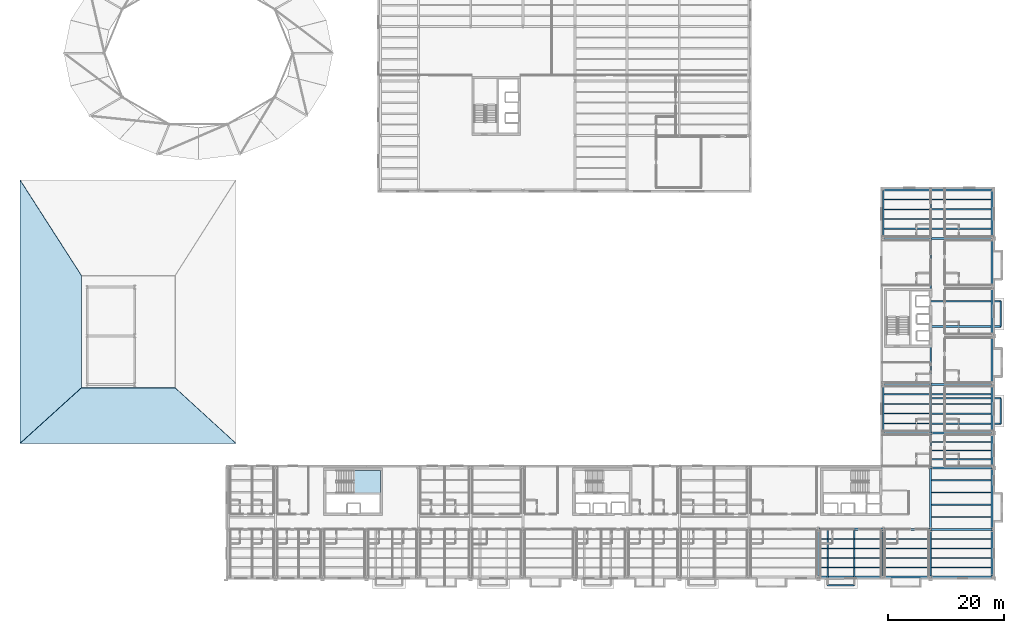
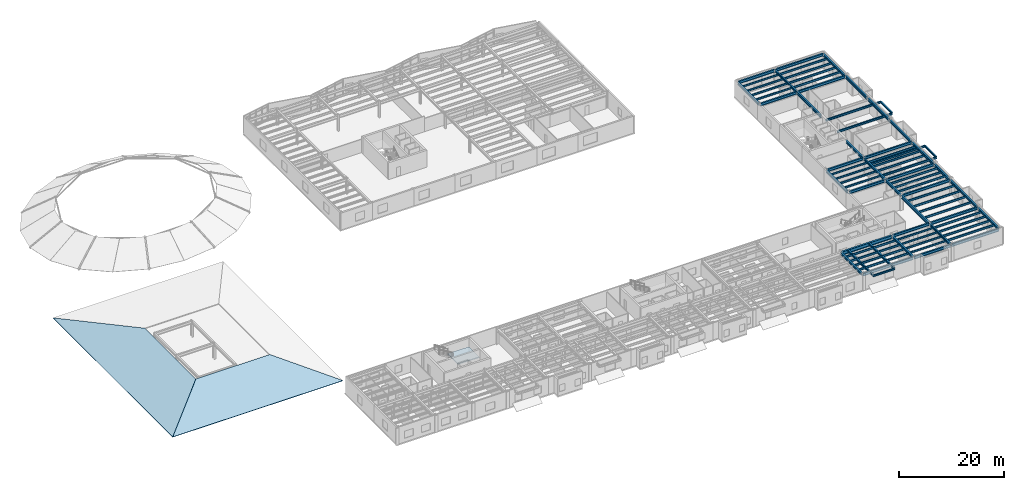
# One storey, part 19 of 46: 77 beams, 3 slabs, 1 element without a shape of its own.
"""IFC4 building model written with IfcOpenShell, lengths in metres."""

from ifc_helpers import new_model, si_unit, direction, frame, origin, origin_2d, place, context, subcontext, project, spatial, polyline, i_section, outline, extrude, material, layer, layer_set, material_profile, profile_set, type_object, element, aggregate, save


model = new_model("IFC4")

# Units and contexts
model_context = context("Model", 3, precision=1e-05, world=origin(), true_north=direction((0.0, 1.0)))
body_context = subcontext(model_context, "Body", "Model", "MODEL_VIEW")
ifc_project = project(units=[si_unit("LENGTHUNIT", "METRE"), si_unit("AREAUNIT", "SQUARE_METRE"), si_unit("VOLUMEUNIT", "CUBIC_METRE"), si_unit("PLANEANGLEUNIT", "RADIAN"), si_unit("MASSUNIT", "GRAM", prefix="KILO")], contexts=[model_context])

# Site, building, storey
site_placement = place(None, origin())
site = spatial("IfcSite", under=ifc_project, at=site_placement, CompositionType="ELEMENT")
building_placement = place(site_placement, origin())
building = spatial("IfcBuilding", under=site, at=building_placement, Name="Sollismere Congress Hotel", CompositionType="ELEMENT")
storey_placement = place(building_placement, frame((0.0, 0.0, 19.5)))
storey = spatial("IfcBuildingStorey", under=building, at=storey_placement, Name="L04", CompositionType="ELEMENT", Elevation=19.5)

# Beams
ifc_material_1 = material(Name="Steel ASTM A992 Grade 50", Category="steel")
ifc_material_profile_1 = material_profile(ifc_material_1, i_section(OverallWidth=0.281982421875, OverallDepth=0.471923828125, WebThickness=0.013671875, FlangeThickness=0.022216796875, at=origin_2d()), Name="W18X97")
ifc_profile_set_1 = profile_set([ifc_material_profile_1], Name="Steel ASTM A992 Grade 50")
beam_type_1 = type_object("IfcBeamType", Name="BM-CK18E", PredefinedType="BEAM", material=ifc_profile_set_1)
for number, where, z_axis, x_axis, name in (
    (1, (137.60009765625, 8.199951171875, 3.3740234375), (0.0, -1.0, 0.0), (1.0, 0.0, 0.0), "Beam BM-L04-3938"),
    (2, (142.199951171875, 8.199951171875, 3.3740234375), (0.0, -1.0, 0.0), (1.0, 0.0, 0.0), "Beam BM-L04-3939"),
):
    element("IfcBeam", number, at=place(storey_placement, frame(where, z_axis=z_axis, x_axis=x_axis)), inside=storey, type_object=beam_type_1, Name=name, PredefinedType="BEAM", context=body_context, shape_type="SweptSolid", body=[
        extrude(i_section(OverallWidth=0.281982421875, OverallDepth=0.471923828125, WebThickness=0.013671875, FlangeThickness=0.022216796875, at=origin_2d()), origin(), (0.0, 0.0, 1.0), 9.68994140625),
    ])
for number, where, z_axis, x_axis, name in (
    (3, (155.39990234375, 26.39990234375, 3.3740234375), (1.0, 0.0, 0.0), (0.0, 1.0, 0.0), "Beam BM-L04-3941"),
    (4, (155.39990234375, 30.800048828125, 3.3740234375), (1.0, 0.0, 0.0), (0.0, 1.0, 0.0), "Beam BM-L04-3942"),
    (5, (155.39990234375, 43.199951171875, 3.3740234375), (1.0, 0.0, 0.0), (0.0, 1.0, 0.0), "Beam BM-L04-3944"),
    (6, (155.39990234375, 47.60009765625, 3.3740234375), (1.0, 0.0, 0.0), (0.0, 1.0, 0.0), "Beam BM-L04-3945"),
):
    element("IfcBeam", number, at=place(storey_placement, frame(where, z_axis=z_axis, x_axis=x_axis)), inside=storey, type_object=beam_type_1, Name=name, PredefinedType="BEAM", context=body_context, shape_type="SweptSolid", body=[
        extrude(i_section(OverallWidth=0.281982421875, OverallDepth=0.471923828125, WebThickness=0.013671875, FlangeThickness=0.022216796875, at=origin_2d()), origin(), (0.0, 0.0, 1.0), 12.090087890625),
    ])
ifc_material_profile_2 = material_profile(ifc_material_1, i_section(OverallWidth=0.31494140625, OverallDepth=0.551025390625, WebThickness=0.01513671875, FlangeThickness=0.0244140625, at=origin_2d()), Name="W21X122")
ifc_profile_set_2 = profile_set([ifc_material_profile_2], Name="Steel ASTM A992 Grade 50")
beam_type_2 = type_object("IfcBeamType", Name="BM-G21H", PredefinedType="BEAM", material=ifc_profile_set_2)
for number, where, z_axis, x_axis, name in (
    (7, (136.0, 0.139892578125, 3.33447265625), (0.0, 1.0, 0.0), (-1.0, 0.0, 0.0), "Beam BM-L04-2761"),
    (8, (147.199951171875, 0.139892578125, 3.33447265625), (0.0, 1.0, 0.0), (-1.0, 0.0, 0.0), "Beam BM-L04-2762"),
):
    element("IfcBeam", number, at=place(storey_placement, frame(where, z_axis=z_axis, x_axis=x_axis)), inside=storey, type_object=beam_type_2, Name=name, PredefinedType="BEAM", context=body_context, shape_type="SweptSolid", body=[
        extrude(i_section(OverallWidth=0.31494140625, OverallDepth=0.551025390625, WebThickness=0.01513671875, FlangeThickness=0.0244140625, at=origin_2d()), origin(), (0.0, 0.0, 1.0), 7.920166015625),
    ])
beam_1_placement = place(storey_placement, frame((147.199951171875, 24.93994140625, 3.33447265625), z_axis=(0.0, 1.0, 0.0), x_axis=(-1.0, 0.0, 0.0)))
element("IfcBeam", 9, at=beam_1_placement, inside=storey, type_object=beam_type_2, Name="Beam BM-L04-2763", PredefinedType="BEAM", context=body_context, shape_type="SweptSolid", body=[
    extrude(i_section(OverallWidth=0.31494140625, OverallDepth=0.551025390625, WebThickness=0.01513671875, FlangeThickness=0.0244140625, at=origin_2d()), origin(), (0.0, 0.0, 1.0), 8.1201171875),
])
beam_2_placement = place(storey_placement, frame((147.199951171875, 58.5400390625, 3.33447265625), z_axis=(0.0, 1.0, 0.0), x_axis=(-1.0, 0.0, 0.0)))
element("IfcBeam", 10, at=beam_2_placement, inside=storey, type_object=beam_type_2, Name="Beam BM-L04-2764", PredefinedType="BEAM", context=body_context, shape_type="SweptSolid", body=[
    extrude(i_section(OverallWidth=0.31494140625, OverallDepth=0.551025390625, WebThickness=0.01513671875, FlangeThickness=0.0244140625, at=origin_2d()), origin(), (0.0, 0.0, 1.0), 8.119873046875),
])
beam_3_placement = place(storey_placement, frame((155.39990234375, 0.139892578125, 3.33447265625), z_axis=(0.0, 1.0, 0.0), x_axis=(-1.0, 0.0, 0.0)))
element("IfcBeam", 11, at=beam_3_placement, inside=storey, type_object=beam_type_2, Name="Beam BM-L04-2765", PredefinedType="BEAM", context=body_context, shape_type="SweptSolid", body=[
    extrude(i_section(OverallWidth=0.31494140625, OverallDepth=0.551025390625, WebThickness=0.01513671875, FlangeThickness=0.0244140625, at=origin_2d()), origin(), (0.0, 0.0, 1.0), 7.920166015625),
])
beam_4_placement = place(storey_placement, frame((155.39990234375, 18.93994140625, 3.33447265625), z_axis=(0.0, 1.0, 0.0), x_axis=(-1.0, 0.0, 0.0)))
element("IfcBeam", 12, at=beam_4_placement, inside=storey, type_object=beam_type_2, Name="Beam BM-L04-2767", PredefinedType="BEAM", context=body_context, shape_type="SweptSolid", body=[
    extrude(i_section(OverallWidth=0.31494140625, OverallDepth=0.551025390625, WebThickness=0.01513671875, FlangeThickness=0.0244140625, at=origin_2d()), origin(), (0.0, 0.0, 1.0), 5.719970703125),
])
beam_5_placement = place(storey_placement, frame((155.39990234375, 24.93994140625, 3.33447265625), z_axis=(0.0, 1.0, 0.0), x_axis=(-1.0, 0.0, 0.0)))
element("IfcBeam", 13, at=beam_5_placement, inside=storey, type_object=beam_type_2, Name="Beam BM-L04-2768", PredefinedType="BEAM", context=body_context, shape_type="SweptSolid", body=[
    extrude(i_section(OverallWidth=0.31494140625, OverallDepth=0.551025390625, WebThickness=0.01513671875, FlangeThickness=0.0244140625, at=origin_2d()), origin(), (0.0, 0.0, 1.0), 8.1201171875),
])
beam_6_placement = place(storey_placement, frame((155.39990234375, 58.5400390625, 3.33447265625), z_axis=(0.0, 1.0, 0.0), x_axis=(-1.0, 0.0, 0.0)))
element("IfcBeam", 14, at=beam_6_placement, inside=storey, type_object=beam_type_2, Name="Beam BM-L04-2769", PredefinedType="BEAM", context=body_context, shape_type="SweptSolid", body=[
    extrude(i_section(OverallWidth=0.31494140625, OverallDepth=0.551025390625, WebThickness=0.01513671875, FlangeThickness=0.0244140625, at=origin_2d()), origin(), (0.0, 0.0, 1.0), 8.119873046875),
])
ifc_material_profile_3 = material_profile(ifc_material_1, i_section(OverallWidth=0.324951171875, OverallDepth=0.612060546875, WebThickness=0.0126953125, FlangeThickness=0.01904296875, at=origin_2d()), Name="W24X104")
ifc_profile_set_3 = profile_set([ifc_material_profile_3], Name="Steel ASTM A992 Grade 50")
beam_type_3 = type_object("IfcBeamType", Name="BM-G24", PredefinedType="BEAM", material=ifc_profile_set_3)
beam_7_placement = place(storey_placement, frame((147.340087890625, 8.199951171875, 3.303955078125), z_axis=(1.0, 0.0, 0.0), x_axis=(0.0, 1.0, 0.0)))
element("IfcBeam", 15, at=beam_7_placement, inside=storey, type_object=beam_type_3, Name="Beam BM-L04-2677", PredefinedType="BEAM", context=body_context, shape_type="SweptSolid", body=[
    extrude(i_section(OverallWidth=0.324951171875, OverallDepth=0.612060546875, WebThickness=0.0126953125, FlangeThickness=0.01904296875, at=origin_2d()), origin(), (0.0, 0.0, 1.0), 7.919921875),
])
for number, where, z_axis, x_axis, name in (
    (16, (155.5400390625, 8.199951171875, 3.303955078125), (1.0, 0.0, 0.0), (0.0, 1.0, 0.0), "Beam BM-L04-2678"),
    (17, (155.5400390625, 18.800048828125, 3.303955078125), (1.0, 0.0, 0.0), (0.0, 1.0, 0.0), "Beam BM-L04-2683"),
):
    element("IfcBeam", number, at=place(storey_placement, frame(where, z_axis=z_axis, x_axis=x_axis)), inside=storey, type_object=beam_type_3, Name=name, PredefinedType="BEAM", context=body_context, shape_type="SweptSolid", body=[
        extrude(i_section(OverallWidth=0.324951171875, OverallDepth=0.612060546875, WebThickness=0.0126953125, FlangeThickness=0.01904296875, at=origin_2d()), origin(), (0.0, 0.0, 1.0), 10.320068359375),
    ])
beam_8_placement = place(storey_placement, frame((147.340087890625, 24.800048828125, 3.303955078125), z_axis=(1.0, 0.0, 0.0), x_axis=(0.0, 1.0, 0.0)))
element("IfcBeam", 18, at=beam_8_placement, inside=storey, type_object=beam_type_3, Name="Beam BM-L04-2684", PredefinedType="BEAM", context=body_context, shape_type="SweptSolid", body=[
    extrude(i_section(OverallWidth=0.324951171875, OverallDepth=0.612060546875, WebThickness=0.0126953125, FlangeThickness=0.01904296875, at=origin_2d()), origin(), (0.0, 0.0, 1.0), 7.919921875),
])
beam_9_placement = place(storey_placement, frame((155.5400390625, 24.800048828125, 3.303955078125), z_axis=(1.0, 0.0, 0.0), x_axis=(0.0, 1.0, 0.0)))
element("IfcBeam", 19, at=beam_9_placement, inside=storey, type_object=beam_type_3, Name="Beam BM-L04-2685", PredefinedType="BEAM", context=body_context, shape_type="SweptSolid", body=[
    extrude(i_section(OverallWidth=0.324951171875, OverallDepth=0.612060546875, WebThickness=0.0126953125, FlangeThickness=0.01904296875, at=origin_2d()), origin(), (0.0, 0.0, 1.0), 10.320068359375),
])
beam_10_placement = place(storey_placement, frame((147.340087890625, 33.199951171875, 3.303955078125), z_axis=(1.0, 0.0, 0.0), x_axis=(0.0, 1.0, 0.0)))
element("IfcBeam", 20, at=beam_10_placement, inside=storey, type_object=beam_type_3, Name="Beam BM-L04-2686", PredefinedType="BEAM", context=body_context, shape_type="SweptSolid", body=[
    extrude(i_section(OverallWidth=0.324951171875, OverallDepth=0.612060546875, WebThickness=0.0126953125, FlangeThickness=0.01904296875, at=origin_2d()), origin(), (0.0, 0.0, 1.0), 7.919921875),
])
beam_11_placement = place(storey_placement, frame((155.5400390625, 33.199951171875, 3.303955078125), z_axis=(1.0, 0.0, 0.0), x_axis=(0.0, 1.0, 0.0)))
element("IfcBeam", 21, at=beam_11_placement, inside=storey, type_object=beam_type_3, Name="Beam BM-L04-2687", PredefinedType="BEAM", context=body_context, shape_type="SweptSolid", body=[
    extrude(i_section(OverallWidth=0.324951171875, OverallDepth=0.612060546875, WebThickness=0.0126953125, FlangeThickness=0.01904296875, at=origin_2d()), origin(), (0.0, 0.0, 1.0), 10.320068359375),
])
beam_12_placement = place(storey_placement, frame((147.3310546875, 58.39990234375, 3.303955078125), z_axis=(1.0, 0.0, 0.0), x_axis=(0.0, 1.0, 0.0)))
element("IfcBeam", 22, at=beam_12_placement, inside=storey, type_object=beam_type_3, Name="Beam BM-L04-2688", PredefinedType="BEAM", context=body_context, shape_type="SweptSolid", body=[
    extrude(i_section(OverallWidth=0.324951171875, OverallDepth=0.612060546875, WebThickness=0.0126953125, FlangeThickness=0.01904296875, at=origin_2d()), origin(), (0.0, 0.0, 1.0), 7.93798828125),
])
beam_13_placement = place(storey_placement, frame((155.531005859375, 58.39990234375, 3.303955078125), z_axis=(1.0, 0.0, 0.0), x_axis=(0.0, 1.0, 0.0)))
element("IfcBeam", 23, at=beam_13_placement, inside=storey, type_object=beam_type_3, Name="Beam BM-L04-2689", PredefinedType="BEAM", context=body_context, shape_type="SweptSolid", body=[
    extrude(i_section(OverallWidth=0.324951171875, OverallDepth=0.612060546875, WebThickness=0.0126953125, FlangeThickness=0.01904296875, at=origin_2d()), origin(), (0.0, 0.0, 1.0), 10.337890625),
])
beam_14_placement = place(storey_placement, frame((147.3310546875, 66.800048828125, 3.303955078125), z_axis=(1.0, 0.0, 0.0), x_axis=(0.0, 1.0, 0.0)))
element("IfcBeam", 24, at=beam_14_placement, inside=storey, type_object=beam_type_3, Name="Beam BM-L04-2695", PredefinedType="BEAM", context=body_context, shape_type="SweptSolid", body=[
    extrude(i_section(OverallWidth=0.324951171875, OverallDepth=0.612060546875, WebThickness=0.0126953125, FlangeThickness=0.01904296875, at=origin_2d()), origin(), (0.0, 0.0, 1.0), 7.93798828125),
])
beam_15_placement = place(storey_placement, frame((155.531005859375, 66.800048828125, 3.303955078125), z_axis=(1.0, 0.0, 0.0), x_axis=(0.0, 1.0, 0.0)))
element("IfcBeam", 25, at=beam_15_placement, inside=storey, type_object=beam_type_3, Name="Beam BM-L04-2696", PredefinedType="BEAM", context=body_context, shape_type="SweptSolid", body=[
    extrude(i_section(OverallWidth=0.324951171875, OverallDepth=0.612060546875, WebThickness=0.0126953125, FlangeThickness=0.01904296875, at=origin_2d()), origin(), (0.0, 0.0, 1.0), 10.337890625),
])
ifc_material_profile_4 = material_profile(ifc_material_1, i_section(OverallWidth=0.330078125, OverallDepth=0.635009765625, WebThickness=0.017822265625, FlangeThickness=0.031005859375, at=origin_2d()), Name="W24X162")
ifc_profile_set_4 = profile_set([ifc_material_profile_4], Name="Steel ASTM A992 Grade 50")
beam_type_4 = type_object("IfcBeamType", Name="BM-G24H", PredefinedType="BEAM", material=ifc_profile_set_4)
beam_16_placement = place(storey_placement, frame((155.39990234375, 33.320068359375, 3.29248046875), z_axis=(0.0, 1.0, 0.0), x_axis=(-1.0, 0.0, 0.0)))
element("IfcBeam", 26, at=beam_16_placement, inside=storey, type_object=beam_type_4, Name="Beam BM-L04-3924", PredefinedType="BEAM", context=body_context, shape_type="SweptSolid", body=[
    extrude(i_section(OverallWidth=0.330078125, OverallDepth=0.635009765625, WebThickness=0.017822265625, FlangeThickness=0.031005859375, at=origin_2d()), origin(), (0.0, 0.0, 1.0), 6.530029296875),
])
beam_17_placement = place(storey_placement, frame((155.39990234375, 49.25, 3.29248046875), z_axis=(0.0, 1.0, 0.0), x_axis=(-1.0, 0.0, 0.0)))
element("IfcBeam", 27, at=beam_17_placement, inside=storey, type_object=beam_type_4, Name="Beam BM-L04-3925", PredefinedType="BEAM", context=body_context, shape_type="SweptSolid", body=[
    extrude(i_section(OverallWidth=0.330078125, OverallDepth=0.635009765625, WebThickness=0.017822265625, FlangeThickness=0.031005859375, at=origin_2d()), origin(), (0.0, 0.0, 1.0), 9.14990234375),
])
ifc_material_profile_5 = material_profile(ifc_material_1, i_section(OverallWidth=0.35595703125, OverallDepth=0.696044921875, WebThickness=0.015380859375, FlangeThickness=0.025146484375, at=origin_2d()), Name="W27X146")
ifc_profile_set_5 = profile_set([ifc_material_profile_5], Name="Steel ASTM A992 Grade 50")
beam_type_5 = type_object("IfcBeamType", Name="BM-G27", PredefinedType="BEAM", material=ifc_profile_set_5)
beam_18_placement = place(storey_placement, frame((155.39990234375, 8.340087890625, 3.261962890625), z_axis=(0.0, 1.0, 0.0), x_axis=(-1.0, 0.0, 0.0)))
element("IfcBeam", 28, at=beam_18_placement, inside=storey, type_object=beam_type_5, Name="Beam BM-L04-2766", PredefinedType="BEAM", context=body_context, shape_type="SweptSolid", body=[
    extrude(i_section(OverallWidth=0.35595703125, OverallDepth=0.696044921875, WebThickness=0.015380859375, FlangeThickness=0.025146484375, at=origin_2d()), origin(), (0.0, 0.0, 1.0), 10.31982421875),
])
ifc_material_profile_6 = material_profile(ifc_material_1, i_section(OverallWidth=0.384033203125, OverallDepth=0.787109375, WebThickness=0.019775390625, FlangeThickness=0.033447265625, at=origin_2d()), Name="W30X211")
ifc_profile_set_6 = profile_set([ifc_material_profile_6], Name="Steel ASTM A992 Grade 50")
beam_type_6 = type_object("IfcBeamType", Name="BM-G30", PredefinedType="BEAM", material=ifc_profile_set_6)
beam_19_placement = place(storey_placement, frame((136.139892578125, 8.199951171875, 3.216552734375), z_axis=(1.0, 0.0, 0.0), x_axis=(0.0, 1.0, 0.0)))
element("IfcBeam", 29, at=beam_19_placement, inside=storey, type_object=beam_type_6, Name="Beam BM-L04-2676", PredefinedType="BEAM", context=body_context, shape_type="SweptSolid", body=[
    extrude(i_section(OverallWidth=0.384033203125, OverallDepth=0.787109375, WebThickness=0.019775390625, FlangeThickness=0.033447265625, at=origin_2d()), origin(), (0.0, 0.0, 1.0), 10.920166015625),
])
ifc_material_profile_7 = material_profile(ifc_material_1, i_section(OverallWidth=0.180908203125, OverallDepth=0.4169921875, WebThickness=0.010986328125, FlangeThickness=0.018310546875, at=origin_2d()), Name="W16X57")
ifc_profile_set_7 = profile_set([ifc_material_profile_7], Name="Steel ASTM A992 Grade 50")
beam_type_7 = type_object("IfcBeamType", Name="BM-J16", PredefinedType="JOIST", material=ifc_profile_set_7)
for number, where, z_axis, x_axis, name in (
    (30, (147.357421875, 1.639892578125, 3.401611328125), (1.0, 0.0, 0.0), (0.0, 1.0, 0.0), "Beam BM-L04-2903"),
    (31, (147.357421875, 3.280029296875, 3.401611328125), (1.0, 0.0, 0.0), (0.0, 1.0, 0.0), "Beam BM-L04-2904"),
    (32, (147.357421875, 4.919921875, 3.401611328125), (1.0, 0.0, 0.0), (0.0, 1.0, 0.0), "Beam BM-L04-2905"),
    (33, (147.357421875, 6.56005859375, 3.401611328125), (1.0, 0.0, 0.0), (0.0, 1.0, 0.0), "Beam BM-L04-2906"),
    (34, (147.357421875, 26.47998046875, 3.401611328125), (1.0, 0.0, 0.0), (0.0, 1.0, 0.0), "Beam BM-L04-2907"),
    (35, (147.357421875, 28.159912109375, 3.401611328125), (1.0, 0.0, 0.0), (0.0, 1.0, 0.0), "Beam BM-L04-2908"),
    (36, (147.357421875, 29.840087890625, 3.401611328125), (1.0, 0.0, 0.0), (0.0, 1.0, 0.0), "Beam BM-L04-2909"),
    (37, (147.357421875, 31.52001953125, 3.401611328125), (1.0, 0.0, 0.0), (0.0, 1.0, 0.0), "Beam BM-L04-2910"),
    (38, (147.357421875, 60.080078125, 3.401611328125), (1.0, 0.0, 0.0), (0.0, 1.0, 0.0), "Beam BM-L04-2911"),
    (39, (147.357421875, 61.760009765625, 3.401611328125), (1.0, 0.0, 0.0), (0.0, 1.0, 0.0), "Beam BM-L04-2912"),
    (40, (147.357421875, 63.43994140625, 3.401611328125), (1.0, 0.0, 0.0), (0.0, 1.0, 0.0), "Beam BM-L04-2913"),
    (41, (147.357421875, 65.1201171875, 3.401611328125), (1.0, 0.0, 0.0), (0.0, 1.0, 0.0), "Beam BM-L04-2914"),
):
    element("IfcBeam", number, at=place(storey_placement, frame(where, z_axis=z_axis, x_axis=x_axis)), inside=storey, type_object=beam_type_7, Name=name, PredefinedType="JOIST", context=body_context, shape_type="SweptSolid", body=[
        extrude(i_section(OverallWidth=0.180908203125, OverallDepth=0.4169921875, WebThickness=0.010986328125, FlangeThickness=0.018310546875, at=origin_2d()), origin(), (0.0, 0.0, 1.0), 7.885009765625),
    ])
ifc_material_profile_8 = material_profile(ifc_material_1, i_section(OverallWidth=0.193115234375, OverallDepth=0.467041015625, WebThickness=0.011474609375, FlangeThickness=0.01904296875, at=origin_2d()), Name="W18X65")
ifc_profile_set_8 = profile_set([ifc_material_profile_8], Name="Steel ASTM A992 Grade 50")
beam_type_8 = type_object("IfcBeamType", Name="BM-J18", PredefinedType="JOIST", material=ifc_profile_set_8)
for number, where, z_axis, x_axis, name in (
    (42, (136.157470703125, 1.639892578125, 3.37646484375), (1.0, 0.0, 0.0), (0.0, 1.0, 0.0), "Beam BM-L04-2899"),
    (43, (136.157470703125, 3.280029296875, 3.37646484375), (1.0, 0.0, 0.0), (0.0, 1.0, 0.0), "Beam BM-L04-2900"),
    (44, (136.157470703125, 4.919921875, 3.37646484375), (1.0, 0.0, 0.0), (0.0, 1.0, 0.0), "Beam BM-L04-2901"),
    (45, (136.157470703125, 6.56005859375, 3.37646484375), (1.0, 0.0, 0.0), (0.0, 1.0, 0.0), "Beam BM-L04-2902"),
):
    element("IfcBeam", number, at=place(storey_placement, frame(where, z_axis=z_axis, x_axis=x_axis)), inside=storey, type_object=beam_type_8, Name=name, PredefinedType="JOIST", context=body_context, shape_type="SweptSolid", body=[
        extrude(i_section(OverallWidth=0.193115234375, OverallDepth=0.467041015625, WebThickness=0.011474609375, FlangeThickness=0.01904296875, at=origin_2d()), origin(), (0.0, 0.0, 1.0), 10.885009765625),
    ])
for number, where, z_axis, x_axis, name in (
    (46, (155.5576171875, 1.639892578125, 3.37646484375), (1.0, 0.0, 0.0), (0.0, 1.0, 0.0), "Beam BM-L04-2915"),
    (47, (155.5576171875, 3.280029296875, 3.37646484375), (1.0, 0.0, 0.0), (0.0, 1.0, 0.0), "Beam BM-L04-2916"),
    (48, (155.5576171875, 4.919921875, 3.37646484375), (1.0, 0.0, 0.0), (0.0, 1.0, 0.0), "Beam BM-L04-2917"),
    (49, (155.5576171875, 6.56005859375, 3.37646484375), (1.0, 0.0, 0.0), (0.0, 1.0, 0.0), "Beam BM-L04-2918"),
):
    element("IfcBeam", number, at=place(storey_placement, frame(where, z_axis=z_axis, x_axis=x_axis)), inside=storey, type_object=beam_type_8, Name=name, PredefinedType="JOIST", context=body_context, shape_type="SweptSolid", body=[
        extrude(i_section(OverallWidth=0.193115234375, OverallDepth=0.467041015625, WebThickness=0.011474609375, FlangeThickness=0.01904296875, at=origin_2d()), origin(), (0.0, 0.0, 1.0), 10.27734375),
    ])
for number, where, z_axis, x_axis, name in (
    (50, (155.577880859375, 10.320068359375, 3.37646484375), (1.0, 0.0, 0.0), (0.0, 1.0, 0.0), "Beam BM-L04-2919"),
    (51, (155.577880859375, 12.43994140625, 3.37646484375), (1.0, 0.0, 0.0), (0.0, 1.0, 0.0), "Beam BM-L04-2920"),
    (52, (155.577880859375, 14.56005859375, 3.37646484375), (1.0, 0.0, 0.0), (0.0, 1.0, 0.0), "Beam BM-L04-2921"),
    (53, (155.577880859375, 16.679931640625, 3.37646484375), (1.0, 0.0, 0.0), (0.0, 1.0, 0.0), "Beam BM-L04-2922"),
):
    element("IfcBeam", number, at=place(storey_placement, frame(where, z_axis=z_axis, x_axis=x_axis)), inside=storey, type_object=beam_type_8, Name=name, PredefinedType="JOIST", context=body_context, shape_type="SweptSolid", body=[
        extrude(i_section(OverallWidth=0.193115234375, OverallDepth=0.467041015625, WebThickness=0.011474609375, FlangeThickness=0.01904296875, at=origin_2d()), origin(), (0.0, 0.0, 1.0), 10.257080078125),
    ])
for number, where, z_axis, x_axis, name in (
    (54, (155.5576171875, 20.300048828125, 3.37646484375), (1.0, 0.0, 0.0), (0.0, 1.0, 0.0), "Beam BM-L04-2923"),
    (55, (155.5576171875, 21.800048828125, 3.37646484375), (1.0, 0.0, 0.0), (0.0, 1.0, 0.0), "Beam BM-L04-2924"),
    (56, (155.5576171875, 23.300048828125, 3.37646484375), (1.0, 0.0, 0.0), (0.0, 1.0, 0.0), "Beam BM-L04-2925"),
    (57, (155.5576171875, 28.159912109375, 3.37646484375), (1.0, 0.0, 0.0), (0.0, 1.0, 0.0), "Beam BM-L04-2926"),
    (58, (155.5576171875, 29.840087890625, 3.37646484375), (1.0, 0.0, 0.0), (0.0, 1.0, 0.0), "Beam BM-L04-2927"),
    (59, (155.5576171875, 31.52001953125, 3.37646484375), (1.0, 0.0, 0.0), (0.0, 1.0, 0.0), "Beam BM-L04-2928"),
    (60, (155.5576171875, 60.080078125, 3.37646484375), (1.0, 0.0, 0.0), (0.0, 1.0, 0.0), "Beam BM-L04-2929"),
    (61, (155.5576171875, 61.760009765625, 3.37646484375), (1.0, 0.0, 0.0), (0.0, 1.0, 0.0), "Beam BM-L04-2930"),
    (62, (155.5576171875, 63.43994140625, 3.37646484375), (1.0, 0.0, 0.0), (0.0, 1.0, 0.0), "Beam BM-L04-2931"),
    (63, (155.5576171875, 65.1201171875, 3.37646484375), (1.0, 0.0, 0.0), (0.0, 1.0, 0.0), "Beam BM-L04-2932"),
):
    element("IfcBeam", number, at=place(storey_placement, frame(where, z_axis=z_axis, x_axis=x_axis)), inside=storey, type_object=beam_type_8, Name=name, PredefinedType="JOIST", context=body_context, shape_type="SweptSolid", body=[
        extrude(i_section(OverallWidth=0.193115234375, OverallDepth=0.467041015625, WebThickness=0.011474609375, FlangeThickness=0.01904296875, at=origin_2d()), origin(), (0.0, 0.0, 1.0), 10.27734375),
    ])
ifc_material_profile_9 = material_profile(ifc_material_1, i_section(OverallWidth=0.261962890625, OverallDepth=0.4189453125, WebThickness=0.01171875, FlangeThickness=0.019287109375, at=origin_2d()), Name="W16X77")
ifc_profile_set_9 = profile_set([ifc_material_profile_9], Name="Steel ASTM A992 Grade 50")
beam_type_9 = type_object("IfcBeamType", Name="BM-LN16E", PredefinedType="LINTEL", material=ifc_profile_set_9)
beam_20_placement = place(storey_placement, frame((137.60009765625, -1.489990234375, 3.400390625), z_axis=(1.0, 0.0, 0.0), x_axis=(0.0, 1.0, 0.0)))
element("IfcBeam", 64, at=beam_20_placement, inside=storey, type_object=beam_type_9, Name="Beam BM-L04-3940", PredefinedType="LINTEL", context=body_context, shape_type="SweptSolid", body=[
    extrude(i_section(OverallWidth=0.261962890625, OverallDepth=0.4189453125, WebThickness=0.01171875, FlangeThickness=0.019287109375, at=origin_2d()), origin(), (0.0, 0.0, 1.0), 4.599853515625),
])
for number, where, z_axis, x_axis, name in (
    (65, (167.489990234375, 26.39990234375, 3.400390625), (0.0, 1.0, 0.0), (-1.0, 0.0, 0.0), "Beam BM-L04-3943"),
    (66, (167.489990234375, 43.199951171875, 3.400390625), (0.0, 1.0, 0.0), (-1.0, 0.0, 0.0), "Beam BM-L04-3946"),
):
    element("IfcBeam", number, at=place(storey_placement, frame(where, z_axis=z_axis, x_axis=x_axis)), inside=storey, type_object=beam_type_9, Name=name, PredefinedType="LINTEL", context=body_context, shape_type="SweptSolid", body=[
        extrude(i_section(OverallWidth=0.261962890625, OverallDepth=0.4189453125, WebThickness=0.01171875, FlangeThickness=0.019287109375, at=origin_2d()), origin(), (0.0, 0.0, 1.0), 4.400146484375),
    ])
ifc_material_profile_10 = material_profile(ifc_material_1, i_section(OverallWidth=0.330078125, OverallDepth=0.635009765625, WebThickness=0.017822265625, FlangeThickness=0.031005859375, at=origin_2d()), Name="W24X162")
ifc_profile_set_10 = profile_set([ifc_material_profile_10], Name="Steel ASTM A992 Grade 50")
beam_type_10 = type_object("IfcBeamType", Name="BM-SP24E", PredefinedType="SPANDREL", material=ifc_profile_set_10)
beam_21_placement = place(storey_placement, frame((136.139892578125, 0.0, 3.29248046875), z_axis=(1.0, 0.0, 0.0), x_axis=(0.0, 1.0, 0.0)))
element("IfcBeam", 67, at=beam_21_placement, inside=storey, type_object=beam_type_10, Name="Beam BM-L04-2662", PredefinedType="SPANDREL", context=body_context, shape_type="SweptSolid", body=[
    extrude(i_section(OverallWidth=0.330078125, OverallDepth=0.635009765625, WebThickness=0.017822265625, FlangeThickness=0.031005859375, at=origin_2d()), origin(), (0.0, 0.0, 1.0), 10.920166015625),
])
beam_22_placement = place(storey_placement, frame((147.340087890625, 0.0, 3.29248046875), z_axis=(1.0, 0.0, 0.0), x_axis=(0.0, 1.0, 0.0)))
element("IfcBeam", 68, at=beam_22_placement, inside=storey, type_object=beam_type_10, Name="Beam BM-L04-2663", PredefinedType="SPANDREL", context=body_context, shape_type="SweptSolid", body=[
    extrude(i_section(OverallWidth=0.330078125, OverallDepth=0.635009765625, WebThickness=0.017822265625, FlangeThickness=0.031005859375, at=origin_2d()), origin(), (0.0, 0.0, 1.0), 7.919921875),
])
beam_23_placement = place(storey_placement, frame((155.5400390625, 0.0, 3.29248046875), z_axis=(1.0, 0.0, 0.0), x_axis=(0.0, 1.0, 0.0)))
element("IfcBeam", 69, at=beam_23_placement, inside=storey, type_object=beam_type_10, Name="Beam BM-L04-2664", PredefinedType="SPANDREL", context=body_context, shape_type="SweptSolid", body=[
    extrude(i_section(OverallWidth=0.330078125, OverallDepth=0.635009765625, WebThickness=0.017822265625, FlangeThickness=0.031005859375, at=origin_2d()), origin(), (0.0, 0.0, 1.0), 10.320068359375),
])
beam_24_placement = place(storey_placement, frame((166.0, 0.139892578125, 3.29248046875), z_axis=(0.0, 1.0, 0.0), x_axis=(-1.0, 0.0, 0.0)))
element("IfcBeam", 70, at=beam_24_placement, inside=storey, type_object=beam_type_10, Name="Beam BM-L04-2770", PredefinedType="SPANDREL", context=body_context, shape_type="SweptSolid", body=[
    extrude(i_section(OverallWidth=0.330078125, OverallDepth=0.635009765625, WebThickness=0.017822265625, FlangeThickness=0.031005859375, at=origin_2d()), origin(), (0.0, 0.0, 1.0), 7.920166015625),
])
beam_25_placement = place(storey_placement, frame((166.0, 8.340087890625, 3.29248046875), z_axis=(0.0, 1.0, 0.0), x_axis=(-1.0, 0.0, 0.0)))
element("IfcBeam", 71, at=beam_25_placement, inside=storey, type_object=beam_type_10, Name="Beam BM-L04-2771", PredefinedType="SPANDREL", context=body_context, shape_type="SweptSolid", body=[
    extrude(i_section(OverallWidth=0.330078125, OverallDepth=0.635009765625, WebThickness=0.017822265625, FlangeThickness=0.031005859375, at=origin_2d()), origin(), (0.0, 0.0, 1.0), 10.31982421875),
])
beam_26_placement = place(storey_placement, frame((166.0, 18.93994140625, 3.29248046875), z_axis=(0.0, 1.0, 0.0), x_axis=(-1.0, 0.0, 0.0)))
element("IfcBeam", 72, at=beam_26_placement, inside=storey, type_object=beam_type_10, Name="Beam BM-L04-2772", PredefinedType="SPANDREL", context=body_context, shape_type="SweptSolid", body=[
    extrude(i_section(OverallWidth=0.330078125, OverallDepth=0.635009765625, WebThickness=0.017822265625, FlangeThickness=0.031005859375, at=origin_2d()), origin(), (0.0, 0.0, 1.0), 5.719970703125),
])
beam_27_placement = place(storey_placement, frame((166.0, 24.93994140625, 3.29248046875), z_axis=(0.0, 1.0, 0.0), x_axis=(-1.0, 0.0, 0.0)))
element("IfcBeam", 73, at=beam_27_placement, inside=storey, type_object=beam_type_10, Name="Beam BM-L04-2773", PredefinedType="SPANDREL", context=body_context, shape_type="SweptSolid", body=[
    extrude(i_section(OverallWidth=0.330078125, OverallDepth=0.635009765625, WebThickness=0.017822265625, FlangeThickness=0.031005859375, at=origin_2d()), origin(), (0.0, 0.0, 1.0), 8.1201171875),
])
beam_28_placement = place(storey_placement, frame((166.0, 33.340087890625, 3.29248046875), z_axis=(0.0, 1.0, 0.0), x_axis=(-1.0, 0.0, 0.0)))
element("IfcBeam", 74, at=beam_28_placement, inside=storey, type_object=beam_type_10, Name="Beam BM-L04-2774", PredefinedType="SPANDREL", context=body_context, shape_type="SweptSolid", body=[
    extrude(i_section(OverallWidth=0.330078125, OverallDepth=0.635009765625, WebThickness=0.017822265625, FlangeThickness=0.031005859375, at=origin_2d()), origin(), (0.0, 0.0, 1.0), 8.119873046875),
])
for number, where, z_axis, x_axis, name in (
    (75, (166.0, 41.739990234375, 3.29248046875), (0.0, 1.0, 0.0), (-1.0, 0.0, 0.0), "Beam BM-L04-2775"),
    (76, (166.0, 50.139892578125, 3.29248046875), (0.0, 1.0, 0.0), (-1.0, 0.0, 0.0), "Beam BM-L04-2776"),
):
    element("IfcBeam", number, at=place(storey_placement, frame(where, z_axis=z_axis, x_axis=x_axis)), inside=storey, type_object=beam_type_10, Name=name, PredefinedType="SPANDREL", context=body_context, shape_type="SweptSolid", body=[
        extrude(i_section(OverallWidth=0.330078125, OverallDepth=0.635009765625, WebThickness=0.017822265625, FlangeThickness=0.031005859375, at=origin_2d()), origin(), (0.0, 0.0, 1.0), 8.1201171875),
    ])
beam_29_placement = place(storey_placement, frame((166.0, 58.5400390625, 3.29248046875), z_axis=(0.0, 1.0, 0.0), x_axis=(-1.0, 0.0, 0.0)))
element("IfcBeam", 77, at=beam_29_placement, inside=storey, type_object=beam_type_10, Name="Beam BM-L04-2777", PredefinedType="SPANDREL", context=body_context, shape_type="SweptSolid", body=[
    extrude(i_section(OverallWidth=0.330078125, OverallDepth=0.635009765625, WebThickness=0.017822265625, FlangeThickness=0.031005859375, at=origin_2d()), origin(), (0.0, 0.0, 1.0), 8.119873046875),
])

# Stair, slab
ifc_material_2 = material(Name="Concrete C40/50", Category="concrete")
stair_type = type_object("IfcStairType", Name="STR-DL-390", PredefinedType="HALF_TURN_STAIR", material=ifc_material_2)
stair_placement = place(storey_placement, origin())
stair = element("IfcStair", 78, at=stair_placement, inside=storey, type_object=stair_type, Name="Protected exit stair ST-06-L04", PredefinedType="HALF_TURN_STAIR")
ifc_layer_1 = layer(ifc_material_2, 0.199951171875, Name="Concrete C40/50")
ifc_layer_set_1 = layer_set([ifc_layer_1], Name="Concrete C40/50")
slab_type_1 = type_object("IfcSlabType", Name="SL-LND200", PredefinedType="LANDING", material=ifc_layer_set_1)
slab_1_placement = place(storey_placement, frame((0.0, 0.0, 1.75)))
slab_1 = element("IfcSlab", 79, at=slab_1_placement, type_object=slab_type_1, Name="Exit stair half-landing ST-06-L04-L1", PredefinedType="LANDING", context=body_context, shape_type="SweptSolid", body=[
    extrude(outline(polyline([(55.75, 14.449951171875), (60.39990234375, 14.449951171875), (60.39990234375, 18.35009765625), (55.75, 18.35009765625), (55.75, 14.449951171875)])), origin(), (0.0, 0.0, 1.0), 0.199951171875),
])
aggregate(stair, [slab_1])

# Slabs
ifc_material_3 = material(Name="Standing-Seam Zinc on Precast Concrete C40/50", Category="concrete")
ifc_layer_2 = layer(ifc_material_3, 0.14990234375, Name="Standing-Seam Zinc on Precast Concrete C40/50")
ifc_layer_set_2 = layer_set([ifc_layer_2], Name="Standing-Seam Zinc on Precast Concrete C40/50")
slab_type_2 = type_object("IfcSlabType", Name="SL-SACAK150", PredefinedType="ROOF", material=ifc_layer_set_2)
slab_2_placement = place(storey_placement, frame((-1.748291015625, 23.001953125, -0.140625), z_axis=(-0.345284614326, 0.0, 0.938498020834), x_axis=(0.715092202277, 0.647631295267, 0.263090949357)))
element("IfcSlab", 80, at=slab_2_placement, inside=storey, type_object=slab_type_2, Name="Hipped roof facet SL-V3H-W", PredefinedType="ROOF", context=body_context, shape_type="SweptSolid", body=[
    extrude(outline(polyline([(0.0, 0.0), (14.823486328125, 0.0), (27.384765625, 14.77880859375), (29.464599609375, 34.666015625), (0.0, 0.0)])), origin(), (0.0, 0.0, 1.0), 0.14990234375),
])
slab_3_placement = place(storey_placement, frame((-1.798095703125, 23.056396484375, -0.138916015625), z_axis=(0.0, -0.376365671221, 0.926471198433), x_axis=(1.0, 0.0, 0.0)))
element("IfcSlab", 81, at=slab_3_placement, inside=storey, type_object=slab_type_2, Name="Hipped roof facet SL-V3H-S", PredefinedType="ROOF", context=body_context, shape_type="SweptSolid", body=[
    extrude(outline(polyline([(0.0, 0.0), (37.296142578125, 0.0), (26.796142578125, 10.362060546875), (10.60009765625, 10.362060546875), (0.0, 0.0)])), origin(), (0.0, 0.0, 1.0), 0.14990234375),
])

save(model, "model.ifc")
